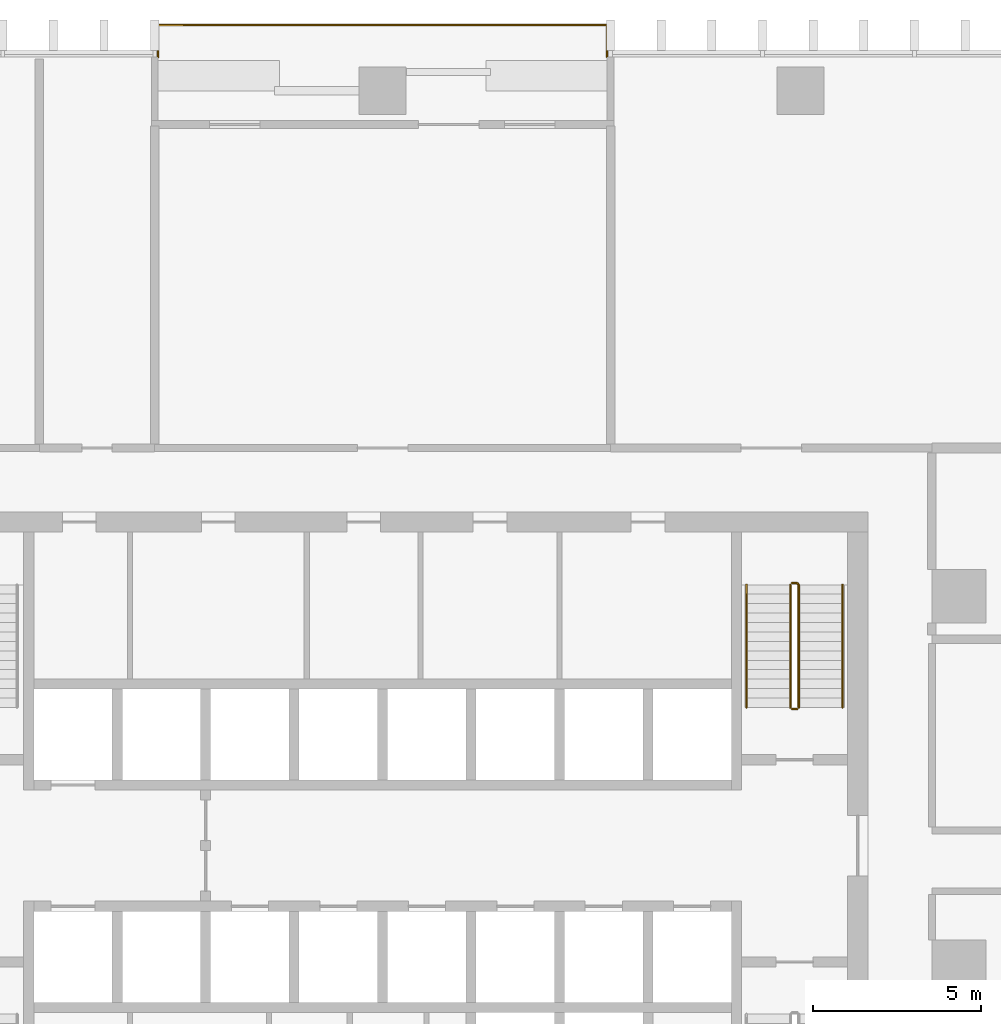
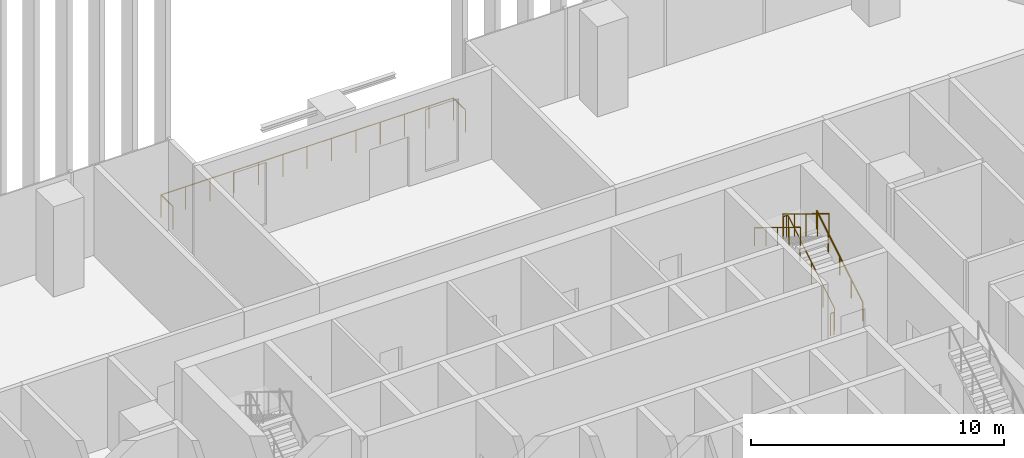
# One storey, part 16 of 17: 6 railings.
"""IFC4 building model written with IfcOpenShell, lengths in metres."""

from ifc_helpers import new_model, si_unit, direction, frame, origin, origin_2d, place, context, subcontext, project, spatial, circle, extrude, material, type_object, element, save


model = new_model("IFC4")

# Units and contexts
model_context = context("Model", 3, precision=1e-05, world=origin(), true_north=direction((0.0, 1.0)))
body_context = subcontext(model_context, "Body", "Model", "MODEL_VIEW")
ifc_project = project(units=[si_unit("LENGTHUNIT", "METRE"), si_unit("AREAUNIT", "SQUARE_METRE"), si_unit("VOLUMEUNIT", "CUBIC_METRE"), si_unit("PLANEANGLEUNIT", "RADIAN"), si_unit("MASSUNIT", "GRAM", prefix="KILO")], contexts=[model_context])

# Site, building, storey
site_placement = place(None, origin())
site = spatial("IfcSite", under=ifc_project, at=site_placement, CompositionType="ELEMENT")
building_placement = place(site_placement, origin())
building = spatial("IfcBuilding", under=site, at=building_placement, Name="Mopane Tessera Tower", CompositionType="ELEMENT")
storey_placement = place(building_placement, frame((0.0, 0.0, 45.39990234375)))
storey = spatial("IfcBuildingStorey", under=building, at=storey_placement, Name="L08", CompositionType="ELEMENT", Elevation=45.39990234375)

# Railings
ifc_material_1 = material(Name="Powder-coated steel balustrade", Category="steel")
railing_type_1 = type_object("IfcRailingType", Name="Escape stair guard 1100 mm", PredefinedType="GUARDRAIL", material=ifc_material_1)
railing_1_placement = place(storey_placement, frame((12.35009765625, 7.699951171875, 0.171630859375)))
element("IfcRailing", 1, at=railing_1_placement, inside=storey, type_object=railing_type_1, Name="L08 ST4 stair guard 1", PredefinedType="GUARDRAIL", context=body_context, shape_type="SweptSolid", body=[
    extrude(circle(Radius=0.02392578125, at=origin_2d()), frame((0.0, 0.0, 1.076171875), z_axis=(0.0, 0.852865859571, 0.52213008492), x_axis=(-1.0, 0.0, 0.0)), (0.0, 0.0, 1.0), 4.26806640625),
    extrude(circle(Radius=0.02392578125, at=origin_2d()), frame((0.0, 3.64013671875, 3.3046875), z_axis=(-0.708833529934, 0.705375805398, 0.0), x_axis=(-0.705375805398, -0.708833529934, 0.0)), (0.0, 0.0, 1.0), 0.070556640625),
    extrude(circle(Radius=0.02392578125, at=origin_2d()), frame((-0.050048828125, 3.68994140625, 3.3046875), z_axis=(-1.0, 0.0, 0.0), x_axis=(0.0, -1.0, 0.0)), (0.0, 0.0, 1.0), 0.150146484375),
    extrude(circle(Radius=0.02099609375, at=origin_2d()), origin(), (0.0, 0.0, 1.0), 1.052001953125),
    extrude(circle(Radius=0.02099609375, at=origin_2d()), frame((0.0, 0.91015625, 0.55712890625)), (0.0, 0.0, 1.0), 1.052001953125),
    extrude(circle(Radius=0.02099609375, at=origin_2d()), frame((0.0, 1.820068359375, 1.1142578125)), (0.0, 0.0, 1.0), 1.052001953125),
    extrude(circle(Radius=0.02099609375, at=origin_2d()), frame((0.0, 2.72998046875, 1.67138671875)), (0.0, 0.0, 1.0), 1.052001953125),
    extrude(circle(Radius=0.02099609375, at=origin_2d()), frame((0.0, 3.64013671875, 2.228515625)), (0.0, 0.0, 1.0), 1.052001953125),
    extrude(circle(Radius=0.02099609375, at=origin_2d()), frame((-0.050048828125, 3.68994140625, 2.228515625)), (0.0, 0.0, 1.0), 1.052001953125),
    extrude(circle(Radius=0.02099609375, at=origin_2d()), frame((-0.2001953125, 3.68994140625, 2.228515625)), (0.0, 0.0, 1.0), 1.052001953125),
])
railing_2_placement = place(storey_placement, frame((12.10009765625, 11.340087890625, 2.571533203125)))
element("IfcRailing", 2, at=railing_2_placement, inside=storey, type_object=railing_type_1, Name="L08 ST4 stair guard 2", PredefinedType="GUARDRAIL", context=body_context, shape_type="SweptSolid", body=[
    extrude(circle(Radius=0.02392578125, at=origin_2d()), frame((0.0, 0.0, 1.076171875), z_axis=(0.0, -0.852865859571, 0.52213008492), x_axis=(1.0, 0.0, 0.0)), (0.0, 0.0, 1.0), 4.26806640625),
    extrude(circle(Radius=0.02099609375, at=origin_2d()), origin(), (0.0, 0.0, 1.0), 1.052001953125),
    extrude(circle(Radius=0.02099609375, at=origin_2d()), frame((0.0, -0.91015625, 0.55712890625)), (0.0, 0.0, 1.0), 1.052001953125),
    extrude(circle(Radius=0.02099609375, at=origin_2d()), frame((0.0, -1.820068359375, 1.1142578125)), (0.0, 0.0, 1.0), 1.052001953125),
    extrude(circle(Radius=0.02099609375, at=origin_2d()), frame((0.0, -2.72998046875, 1.67138671875)), (0.0, 0.0, 1.0), 1.052001953125),
    extrude(circle(Radius=0.02099609375, at=origin_2d()), frame((0.0, -3.64013671875, 2.228515625)), (0.0, 0.0, 1.0), 1.052001953125),
])
railing_3_placement = place(storey_placement, frame((12.300048828125, 7.64990234375, 0.0)))
element("IfcRailing", 3, at=railing_3_placement, inside=storey, type_object=railing_type_1, Name="L08 ST4 stair guard 3", PredefinedType="GUARDRAIL", context=body_context, shape_type="SweptSolid", body=[
    extrude(circle(Radius=0.02392578125, at=origin_2d()), frame((0.0, 0.0, 1.076171875), z_axis=(-1.0, 0.0, 0.0), x_axis=(0.0, -1.0, 0.0)), (0.0, 0.0, 1.0), 0.150146484375),
    extrude(circle(Radius=0.02099609375, at=origin_2d()), origin(), (0.0, 0.0, 1.0), 1.052001953125),
    extrude(circle(Radius=0.02099609375, at=origin_2d()), frame((-0.150146484375, 0.0, 0.0)), (0.0, 0.0, 1.0), 1.052001953125),
])
ifc_material_2 = material(Name="Powder-coated steel balustrade", Category="steel")
railing_type_2 = type_object("IfcRailingType", Name="Escape stair handrail 900 mm", PredefinedType="HANDRAIL", material=ifc_material_2)
railing_4_placement = place(storey_placement, frame((13.64990234375, 7.699951171875, 0.171630859375)))
element("IfcRailing", 4, at=railing_4_placement, inside=storey, type_object=railing_type_2, Name="L08 ST4 stair handrail 1", PredefinedType="HANDRAIL", context=body_context, shape_type="SweptSolid", body=[
    extrude(circle(Radius=0.02392578125, at=origin_2d()), frame((0.0, 0.0, 0.8759765625), z_axis=(0.0, 0.852865859571, 0.52213008492), x_axis=(-1.0, 0.0, 0.0)), (0.0, 0.0, 1.0), 4.26806640625),
    extrude(circle(Radius=0.02099609375, at=origin_2d()), origin(), (0.0, 0.0, 1.0), 0.851806640625),
    extrude(circle(Radius=0.02099609375, at=origin_2d()), frame((0.0, 0.91015625, 0.55712890625)), (0.0, 0.0, 1.0), 0.851806640625),
    extrude(circle(Radius=0.02099609375, at=origin_2d()), frame((0.0, 1.820068359375, 1.1142578125)), (0.0, 0.0, 1.0), 0.851806640625),
    extrude(circle(Radius=0.02099609375, at=origin_2d()), frame((0.0, 2.72998046875, 1.67138671875)), (0.0, 0.0, 1.0), 0.851806640625),
    extrude(circle(Radius=0.02099609375, at=origin_2d()), frame((0.0, 3.64013671875, 2.228515625)), (0.0, 0.0, 1.0), 0.851806640625),
])
railing_5_placement = place(storey_placement, frame((10.800048828125, 11.340087890625, 2.571533203125)))
element("IfcRailing", 5, at=railing_5_placement, inside=storey, type_object=railing_type_2, Name="L08 ST4 stair handrail 2", PredefinedType="HANDRAIL", context=body_context, shape_type="SweptSolid", body=[
    extrude(circle(Radius=0.02392578125, at=origin_2d()), frame((0.0, 0.0, 0.8759765625), z_axis=(0.0, -0.852865859571, 0.52213008492), x_axis=(1.0, 0.0, 0.0)), (0.0, 0.0, 1.0), 4.26806640625),
    extrude(circle(Radius=0.02099609375, at=origin_2d()), origin(), (0.0, 0.0, 1.0), 0.851806640625),
    extrude(circle(Radius=0.02099609375, at=origin_2d()), frame((0.0, -0.91015625, 0.55712890625)), (0.0, 0.0, 1.0), 0.851806640625),
    extrude(circle(Radius=0.02099609375, at=origin_2d()), frame((0.0, -1.820068359375, 1.1142578125)), (0.0, 0.0, 1.0), 0.851806640625),
    extrude(circle(Radius=0.02099609375, at=origin_2d()), frame((0.0, -2.72998046875, 1.67138671875)), (0.0, 0.0, 1.0), 0.851806640625),
    extrude(circle(Radius=0.02099609375, at=origin_2d()), frame((0.0, -3.64013671875, 2.228515625)), (0.0, 0.0, 1.0), 0.851806640625),
])
ifc_material_3 = material(Name="Stainless steel S316", Category="steel")
railing_type_3 = type_object("IfcRailingType", Name="Terrace guard 1100", PredefinedType="GUARDRAIL", material=ifc_material_3)
railing_6_placement = place(storey_placement, frame((6.66357421875, 27.0, 0.0)))
element("IfcRailing", 6, at=railing_6_placement, inside=storey, type_object=railing_type_3, Name="e:nw:L08:N2:guard", PredefinedType="GUARDRAIL", context=body_context, shape_type="SweptSolid", body=[
    extrude(circle(Radius=0.02392578125, at=origin_2d()), frame((0.0, 0.0, 1.076171875), z_axis=(0.0, 1.0, 0.0), x_axis=(-1.0, 0.0, 0.0)), (0.0, 0.0, 1.0), 0.949951171875),
    extrude(circle(Radius=0.02392578125, at=origin_2d()), frame((0.0, 0.949951171875, 1.076171875), z_axis=(-1.0, 0.0, 0.0), x_axis=(0.0, -1.0, 0.0)), (0.0, 0.0, 1.0), 13.3271484375),
    extrude(circle(Radius=0.02392578125, at=origin_2d()), frame((-13.3271484375, 0.949951171875, 1.076171875), z_axis=(0.0, -1.0, 0.0), x_axis=(1.0, 0.0, 0.0)), (0.0, 0.0, 1.0), 0.949951171875),
    extrude(circle(Radius=0.02099609375, at=origin_2d()), origin(), (0.0, 0.0, 1.0), 1.052001953125),
    extrude(circle(Radius=0.02099609375, at=origin_2d()), frame((0.0, 0.949951171875, 0.0)), (0.0, 0.0, 1.0), 1.052001953125),
    extrude(circle(Radius=0.02099609375, at=origin_2d()), frame((-1.110595703125, 0.949951171875, 0.0)), (0.0, 0.0, 1.0), 1.052001953125),
    extrude(circle(Radius=0.02099609375, at=origin_2d()), frame((-2.22119140625, 0.949951171875, 0.0)), (0.0, 0.0, 1.0), 1.052001953125),
    extrude(circle(Radius=0.02099609375, at=origin_2d()), frame((-3.331787109375, 0.949951171875, 0.0)), (0.0, 0.0, 1.0), 1.052001953125),
    extrude(circle(Radius=0.02099609375, at=origin_2d()), frame((-4.4423828125, 0.949951171875, 0.0)), (0.0, 0.0, 1.0), 1.052001953125),
    extrude(circle(Radius=0.02099609375, at=origin_2d()), frame((-5.552978515625, 0.949951171875, 0.0)), (0.0, 0.0, 1.0), 1.052001953125),
    extrude(circle(Radius=0.02099609375, at=origin_2d()), frame((-6.66357421875, 0.949951171875, 0.0)), (0.0, 0.0, 1.0), 1.052001953125),
    extrude(circle(Radius=0.02099609375, at=origin_2d()), frame((-7.774169921875, 0.949951171875, 0.0)), (0.0, 0.0, 1.0), 1.052001953125),
    extrude(circle(Radius=0.02099609375, at=origin_2d()), frame((-8.884765625, 0.949951171875, 0.0)), (0.0, 0.0, 1.0), 1.052001953125),
    extrude(circle(Radius=0.02099609375, at=origin_2d()), frame((-9.995361328125, 0.949951171875, 0.0)), (0.0, 0.0, 1.0), 1.052001953125),
    extrude(circle(Radius=0.02099609375, at=origin_2d()), frame((-11.10595703125, 0.949951171875, 0.0)), (0.0, 0.0, 1.0), 1.052001953125),
    extrude(circle(Radius=0.02099609375, at=origin_2d()), frame((-12.216552734375, 0.949951171875, 0.0)), (0.0, 0.0, 1.0), 1.052001953125),
    extrude(circle(Radius=0.02099609375, at=origin_2d()), frame((-13.3271484375, 0.949951171875, 0.0)), (0.0, 0.0, 1.0), 1.052001953125),
    extrude(circle(Radius=0.02099609375, at=origin_2d()), frame((-13.3271484375, 0.0, 0.0)), (0.0, 0.0, 1.0), 1.052001953125),
])

save(model, "model.ifc")
